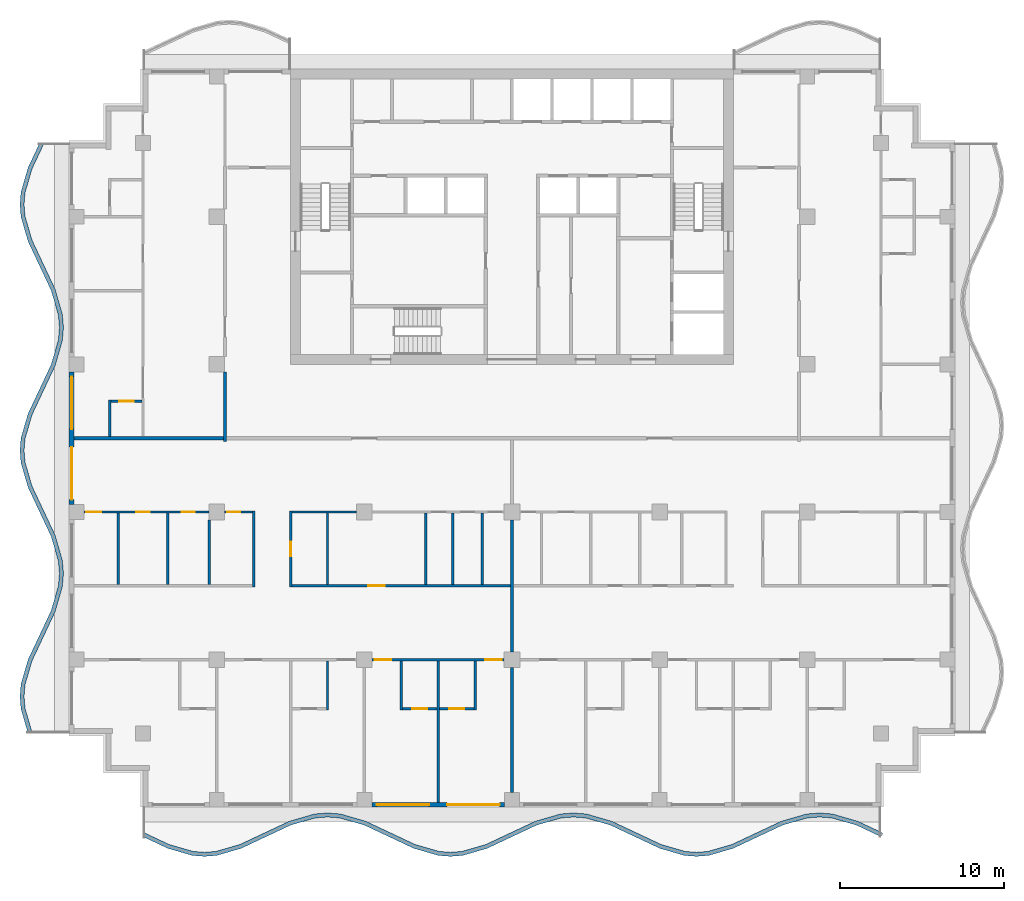
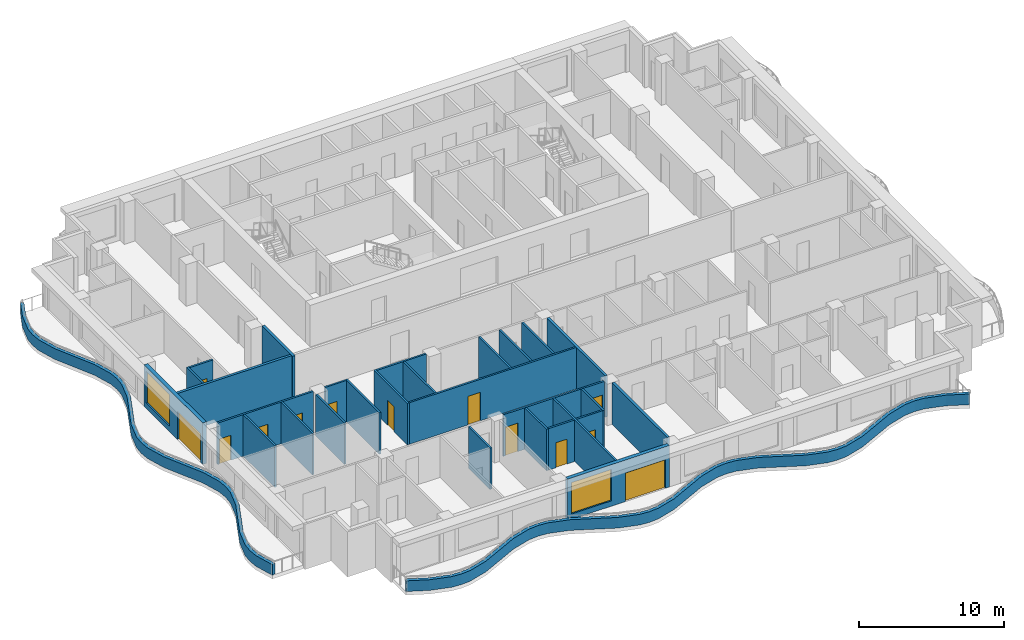
# One storey, part 2 of 11: 30 walls, 13 doors, 2 windows, 15 openings.
"""IFC4 building model written with IfcOpenShell, lengths in metres."""

from ifc_helpers import new_model, si_unit, direction, frame, frame_2d, origin, place, context, subcontext, project, spatial, polyline, rectangle, outline, extrude, material, layer, layer_set, type_object, element, fill, save


model = new_model("IFC4")

# Units and contexts
model_context = context("Model", 3, precision=1e-05, world=origin(), true_north=direction((0.0, 1.0)))
body_context = subcontext(model_context, "Body", "Model", "MODEL_VIEW")
ifc_project = project(units=[si_unit("LENGTHUNIT", "METRE"), si_unit("AREAUNIT", "SQUARE_METRE"), si_unit("VOLUMEUNIT", "CUBIC_METRE"), si_unit("PLANEANGLEUNIT", "RADIAN"), si_unit("MASSUNIT", "GRAM", prefix="KILO")], contexts=[model_context])

# Site, building, storey
site_placement = place(None, origin())
site = spatial("IfcSite", under=ifc_project, at=site_placement, CompositionType="ELEMENT")
building_placement = place(site_placement, origin())
building = spatial("IfcBuilding", under=site, at=building_placement, Name="Orbiselva Terraces", CompositionType="ELEMENT")
storey_placement = place(building_placement, frame((0.0, 0.0, 273.0)))
storey = spatial("IfcBuildingStorey", under=building, at=storey_placement, Name="L69", CompositionType="ELEMENT", Elevation=273.0)

# Walls
ifc_material_1 = material(Name="Concrete C40/50", Category="concrete")
ifc_layer_1 = layer(ifc_material_1, 0.25)
ifc_layer_set_1 = layer_set([ifc_layer_1], Name="Concrete C40/50")
wall_type_1 = type_object("IfcWallType", Name="ENV-PLANTER-250x900", PredefinedType="USERDEFINED", material=ifc_layer_set_1)
wall_1_placement = place(storey_placement, origin())
element("IfcWall", 1, at=wall_1_placement, inside=storey, type_object=wall_type_1, Name="Balcony planter L69 S", ObjectType="PLANTER", PredefinedType="USERDEFINED", context=body_context, shape_type="SweptSolid", body=[
    extrude(outline(polyline([(-22.5, -24.3), (-21.0, -25.005342), (-19.5, -25.441268), (-18.75, -25.5), (-18.0, -25.441268), (-16.5, -25.005342), (-15.0, -24.3), (-13.5, -23.594658), (-12.0, -23.158732), (-11.25, -23.1), (-10.5, -23.158732), (-9.0, -23.594658), (-7.5, -24.3), (-6.0, -25.005342), (-4.5, -25.441268), (-3.75, -25.5), (-3.0, -25.441268), (-1.5, -25.005342), (0.0, -24.3), (1.5, -23.594658), (3.0, -23.158732), (3.75, -23.1), (4.5, -23.158732), (6.0, -23.594658), (7.5, -24.3), (9.0, -25.005342), (10.5, -25.441268), (11.25, -25.5), (12.0, -25.441268), (13.5, -25.005342), (15.0, -24.3), (16.5, -23.594658), (18.0, -23.158732), (18.75, -23.1), (19.5, -23.158732), (21.0, -23.594658), (22.5, -24.3), (22.606383, -24.073764), (21.088618, -23.360069), (19.545114, -22.911499), (18.75, -22.849235), (17.954886, -22.911499), (16.411382, -23.360069), (14.893617, -24.073764), (13.411382, -24.770753), (11.954886, -25.194035), (11.25, -25.249235), (10.545114, -25.194035), (9.088618, -24.770753), (7.606383, -24.073764), (6.088618, -23.360069), (4.545114, -22.911499), (3.75, -22.849235), (2.954886, -22.911499), (1.411382, -23.360069), (-0.106383, -24.073764), (-1.588618, -24.770753), (-3.045114, -25.194035), (-3.75, -25.249235), (-4.454886, -25.194035), (-5.911382, -24.770753), (-7.393617, -24.073764), (-8.911382, -23.360069), (-10.454886, -22.911499), (-11.25, -22.849235), (-12.045114, -22.911499), (-13.588618, -23.360069), (-15.106383, -24.073764), (-16.588618, -24.770753), (-18.045114, -25.194035), (-18.75, -25.249235), (-19.454886, -25.194035), (-20.911382, -24.770753), (-22.393617, -24.073764), (-22.5, -24.3)])), origin(), (0.0, 0.0, 1.0), 0.9),
])
wall_2_placement = place(storey_placement, origin())
element("IfcWall", 2, at=wall_2_placement, inside=storey, type_object=wall_type_1, Name="Balcony planter L69 W", ObjectType="PLANTER", PredefinedType="USERDEFINED", context=body_context, shape_type="SweptSolid", body=[
    extrude(outline(polyline([(-28.8, 18.0), (-29.505342, 16.5), (-29.941268, 15.0), (-30.0, 14.25), (-29.941268, 13.5), (-29.505342, 12.0), (-28.8, 10.5), (-28.094658, 9.0), (-27.658732, 7.5), (-27.6, 6.75), (-27.658732, 6.0), (-28.094658, 4.5), (-28.8, 3.0), (-29.505342, 1.5), (-29.941268, 0.0), (-30.0, -0.75), (-29.941268, -1.5), (-29.505342, -3.0), (-28.8, -4.5), (-28.094658, -6.0), (-27.658732, -7.5), (-27.6, -8.25), (-27.658732, -9.0), (-28.094658, -10.5), (-28.8, -12.0), (-29.505342, -13.5), (-29.941268, -15.0), (-30.0, -15.75), (-29.941268, -16.5), (-29.505342, -18.0), (-29.265274, -17.930232), (-29.694035, -16.454886), (-29.749235, -15.75), (-29.694035, -15.045114), (-29.270753, -13.588618), (-28.573764, -12.106383), (-27.860069, -10.588618), (-27.411499, -9.045114), (-27.349235, -8.25), (-27.411499, -7.454886), (-27.860069, -5.911382), (-28.573764, -4.393617), (-29.270753, -2.911382), (-29.694035, -1.454886), (-29.749235, -0.75), (-29.694035, -0.045114), (-29.270753, 1.411382), (-28.573764, 2.893617), (-27.860069, 4.411382), (-27.411499, 5.954886), (-27.349235, 6.75), (-27.411499, 7.545114), (-27.860069, 9.088618), (-28.573764, 10.606383), (-29.270753, 12.088618), (-29.694035, 13.545114), (-29.749235, 14.25), (-29.694035, 14.954886), (-29.270753, 16.411382), (-28.573764, 17.893617), (-28.8, 18.0)])), origin(), (0.0, 0.0, 1.0), 0.9),
])

# Wall, openings, door, window
ifc_material_2 = material(Name="Terracotta cladding on masonry backing", Category="masonry")
ifc_layer_2 = layer(ifc_material_2, 0.3)
ifc_layer_set_2 = layer_set([ifc_layer_2], Name="Terracotta cladding on masonry backing")
wall_type_2 = type_object("IfcWallType", Name="ENV-WALL-TERRACOTTA-300", PredefinedType="SOLIDWALL", material=ifc_layer_set_2)
wall_3_placement = place(storey_placement, frame((-0.45, -22.35, 0.0), z_axis=(0.0, 0.0, 1.0), x_axis=(-1.0, 0.0, 0.0)))
wall_3 = element("IfcWall", 3, at=wall_3_placement, inside=storey, type_object=wall_type_2, Name="Facade wall L69 S", PredefinedType="SOLIDWALL", context=body_context, shape_type="SweptSolid", body=[
    extrude(rectangle(XDim=8.1, YDim=0.3, at=frame_2d((4.05, 0.0))), origin(), (0.0, 0.0, 1.0), 3.5),
])
opening_1_placement = place(wall_3_placement, frame((4.6, 0.0, 0.45)))
opening_1 = element("IfcOpeningElement", 4, at=opening_1_placement, cuts=wall_3, Name="Opening WN17", PredefinedType="OPENING", context=body_context, shape_type="SweptSolid", body=[
    extrude(rectangle(XDim=3.2, YDim=2.65, at=frame_2d((1.6, 1.325))), frame((0.0, 0.16, 0.0), z_axis=(0.0, -1.0, 0.0), x_axis=(1.0, 0.0, 0.0)), (0.0, 0.0, 1.0), 0.32),
])
opening_2_placement = place(wall_3_placement, frame((0.3, 0.0, 0.0)))
opening_2 = element("IfcOpeningElement", 5, at=opening_2_placement, cuts=wall_3, Name="Opening Z5-D-E02", PredefinedType="OPENING", context=body_context, shape_type="SweptSolid", body=[
    extrude(rectangle(XDim=3.2, YDim=2.4, at=frame_2d((1.6, 1.2))), frame((0.0, 0.16, 0.0), z_axis=(0.0, -1.0, 0.0), x_axis=(1.0, 0.0, 0.0)), (0.0, 0.0, 1.0), 0.32),
])
ifc_material_3 = material(Name="Clear low-e glazing in aluminium frame", Category="aluminium")
door_type_1 = type_object("IfcDoorType", Name="BALCONY DOOR 3200 X 2400", OperationType="DOUBLE_DOOR_SLIDING", PredefinedType="DOOR", material=ifc_material_3)
door_1_placement = place(opening_2_placement, origin())
door_1 = element("IfcDoor", 6, at=door_1_placement, inside=storey, type_object=door_type_1, Name="Z5-D-E02", OperationType="SINGLE_SWING_LEFT", OverallHeight=2.4, OverallWidth=3.2, PredefinedType="DOOR", context=body_context, shape_type="SweptSolid", body=[
    extrude(rectangle(XDim=3.2, YDim=2.4, at=frame_2d((1.6, 1.2))), frame((0.0, 0.025, 0.0), z_axis=(0.0, -1.0, 0.0), x_axis=(1.0, 0.0, 0.0)), (0.0, 0.0, 1.0), 0.05),
])
fill(opening_2, door_1)
window_type = type_object("IfcWindowType", Name="WINDOW 3200 X 2650 S450", PartitioningType="TRIPLE_PANEL_VERTICAL", PredefinedType="WINDOW", material=ifc_material_3)
window_1_placement = place(opening_1_placement, origin())
window_1 = element("IfcWindow", 7, at=window_1_placement, inside=storey, type_object=window_type, Name="Window L69 S", OverallHeight=2.65, OverallWidth=3.2, PartitioningType="SINGLE_PANEL", PredefinedType="WINDOW", context=body_context, shape_type="SweptSolid", body=[
    extrude(rectangle(XDim=3.2, YDim=2.65, at=frame_2d((1.6, 1.325))), frame((0.0, 0.03, 0.0), z_axis=(0.0, -1.0, 0.0), x_axis=(1.0, 0.0, 0.0)), (0.0, 0.0, 1.0), 0.06),
])
fill(opening_1, window_1)

wall_4_placement = place(storey_placement, frame((-26.85, -4.05, 0.0), z_axis=(0.0, 0.0, 1.0), x_axis=(0.0, 1.0, 0.0)))
wall_4 = element("IfcWall", 8, at=wall_4_placement, inside=storey, type_object=wall_type_2, Name="Facade wall L69 W", PredefinedType="SOLIDWALL", context=body_context, shape_type="SweptSolid", body=[
    extrude(rectangle(XDim=8.1, YDim=0.3, at=frame_2d((4.05, 0.0))), origin(), (0.0, 0.0, 1.0), 3.5),
])
opening_3_placement = place(wall_4_placement, frame((4.6, 0.0, 0.45)))
opening_3 = element("IfcOpeningElement", 9, at=opening_3_placement, cuts=wall_4, Name="Opening WN17", PredefinedType="OPENING", context=body_context, shape_type="SweptSolid", body=[
    extrude(rectangle(XDim=3.2, YDim=2.65, at=frame_2d((1.6, 1.325))), frame((0.0, 0.16, 0.0), z_axis=(0.0, -1.0, 0.0), x_axis=(1.0, 0.0, 0.0)), (0.0, 0.0, 1.0), 0.32),
])
opening_4_placement = place(wall_4_placement, frame((0.3, 0.0, 0.0)))
opening_4 = element("IfcOpeningElement", 10, at=opening_4_placement, cuts=wall_4, Name="Opening Z5-D-E10", PredefinedType="OPENING", context=body_context, shape_type="SweptSolid", body=[
    extrude(rectangle(XDim=3.2, YDim=2.4, at=frame_2d((1.6, 1.2))), frame((0.0, 0.16, 0.0), z_axis=(0.0, -1.0, 0.0), x_axis=(1.0, 0.0, 0.0)), (0.0, 0.0, 1.0), 0.32),
])
door_2_placement = place(opening_4_placement, origin())
door_2 = element("IfcDoor", 11, at=door_2_placement, inside=storey, type_object=door_type_1, Name="Z5-D-E10", OperationType="SINGLE_SWING_LEFT", OverallHeight=2.4, OverallWidth=3.2, PredefinedType="DOOR", context=body_context, shape_type="SweptSolid", body=[
    extrude(rectangle(XDim=3.2, YDim=2.4, at=frame_2d((1.6, 1.2))), frame((0.0, 0.025, 0.0), z_axis=(0.0, -1.0, 0.0), x_axis=(1.0, 0.0, 0.0)), (0.0, 0.0, 1.0), 0.05),
])
fill(opening_4, door_2)
window_2_placement = place(opening_3_placement, origin())
window_2 = element("IfcWindow", 12, at=window_2_placement, inside=storey, type_object=window_type, Name="Window L69 W", OverallHeight=2.65, OverallWidth=3.2, PartitioningType="SINGLE_PANEL", PredefinedType="WINDOW", context=body_context, shape_type="SweptSolid", body=[
    extrude(rectangle(XDim=3.2, YDim=2.65, at=frame_2d((1.6, 1.325))), frame((0.0, 0.03, 0.0), z_axis=(0.0, -1.0, 0.0), x_axis=(1.0, 0.0, 0.0)), (0.0, 0.0, 1.0), 0.06),
])
fill(opening_3, window_2)

# Wall
ifc_material_4 = material(Name="Plasterboard on steel stud partition", Category="steel")
ifc_layer_3 = layer(ifc_material_4, 0.2)
ifc_layer_set_3 = layer_set([ifc_layer_3], Name="Plasterboard on steel stud partition")
wall_type_3 = type_object("IfcWallType", Name="UNIT-ENTRANCE-WALL-200", PredefinedType="PARTITIONING", material=ifc_layer_set_3)
wall_5_placement = place(storey_placement, frame((-17.5, -0.2, 0.0), z_axis=(0.0, 0.0, 1.0), x_axis=(0.0, 1.0, 0.0)))
element("IfcWall", 13, at=wall_5_placement, inside=storey, type_object=wall_type_3, Name="PARTITION L69-050", PredefinedType="PARTITIONING", context=body_context, shape_type="SweptSolid", body=[
    extrude(rectangle(XDim=4.225, YDim=0.2, at=frame_2d((2.1125, 0.0))), origin(), (0.0, 0.0, 1.0), 3.5),
])

# Wall, opening, door
ifc_layer_4 = layer(ifc_material_4, 0.15)
ifc_layer_set_4 = layer_set([ifc_layer_4], Name="Plasterboard on steel stud partition")
wall_type_4 = type_object("IfcWallType", Name="UNIT-PARTITION-150", PredefinedType="PARTITIONING", material=ifc_layer_set_4)
wall_6_placement = place(storey_placement, frame((-6.675, -16.5, 0.0), z_axis=(0.0, 0.0, 1.0), x_axis=(1.0, 0.0, 0.0)))
wall_6 = element("IfcWall", 14, at=wall_6_placement, inside=storey, type_object=wall_type_4, Name="PARTITION L69-003", PredefinedType="PARTITIONING", context=body_context, shape_type="SweptSolid", body=[
    extrude(rectangle(XDim=2.1, YDim=0.15, at=frame_2d((1.05, 0.0))), origin(), (0.0, 0.0, 1.0), 3.5),
])
opening_5_placement = place(wall_6_placement, frame((0.6, 0.0, 0.0)))
opening_5 = element("IfcOpeningElement", 15, at=opening_5_placement, cuts=wall_6, Name="Opening Z5-D-28", PredefinedType="OPENING", context=body_context, shape_type="SweptSolid", body=[
    extrude(rectangle(XDim=0.9, YDim=2.1, at=frame_2d((0.45, 1.05))), frame((0.0, 0.085, 0.0), z_axis=(0.0, -1.0, 0.0), x_axis=(1.0, 0.0, 0.0)), (0.0, 0.0, 1.0), 0.17),
])
ifc_material_5 = material(Name="Painted timber door leaf", Category="wood")
door_type_2 = type_object("IfcDoorType", Name="BATH DOOR 900", OperationType="NOTDEFINED", PredefinedType="DOOR", material=ifc_material_5)
door_3_placement = place(opening_5_placement, origin())
door_3 = element("IfcDoor", 16, at=door_3_placement, inside=storey, type_object=door_type_2, Name="Z5-D-28", OperationType="SINGLE_SWING_LEFT", OverallHeight=2.1, OverallWidth=0.9, PredefinedType="DOOR", context=body_context, shape_type="SweptSolid", body=[
    extrude(rectangle(XDim=0.9, YDim=2.1, at=frame_2d((0.45, 1.05))), frame((0.0, 0.025, 0.0), z_axis=(0.0, -1.0, 0.0), x_axis=(1.0, 0.0, 0.0)), (0.0, 0.0, 1.0), 0.05),
])
fill(opening_5, door_3)

wall_7_placement = place(storey_placement, frame((-4.425, -16.5, 0.0), z_axis=(0.0, 0.0, 1.0), x_axis=(1.0, 0.0, 0.0)))
wall_7 = element("IfcWall", 17, at=wall_7_placement, inside=storey, type_object=wall_type_4, Name="PARTITION L69-004", PredefinedType="PARTITIONING", context=body_context, shape_type="SweptSolid", body=[
    extrude(rectangle(XDim=2.1, YDim=0.15, at=frame_2d((1.05, 0.0))), origin(), (0.0, 0.0, 1.0), 3.5),
])
opening_6_placement = place(wall_7_placement, frame((0.6, 0.0, 0.0)))
opening_6 = element("IfcOpeningElement", 18, at=opening_6_placement, cuts=wall_7, Name="Opening Z5-D-26", PredefinedType="OPENING", context=body_context, shape_type="SweptSolid", body=[
    extrude(rectangle(XDim=0.9, YDim=2.1, at=frame_2d((0.45, 1.05))), frame((0.0, 0.085, 0.0), z_axis=(0.0, -1.0, 0.0), x_axis=(1.0, 0.0, 0.0)), (0.0, 0.0, 1.0), 0.17),
])
door_4_placement = place(opening_6_placement, origin())
door_4 = element("IfcDoor", 19, at=door_4_placement, inside=storey, type_object=door_type_2, Name="Z5-D-26", OperationType="SINGLE_SWING_RIGHT", OverallHeight=2.1, OverallWidth=0.9, PredefinedType="DOOR", context=body_context, shape_type="SweptSolid", body=[
    extrude(rectangle(XDim=0.9, YDim=2.1, at=frame_2d((0.45, 1.05))), frame((0.0, 0.025, 0.0), z_axis=(0.0, -1.0, 0.0), x_axis=(1.0, 0.0, 0.0)), (0.0, 0.0, 1.0), 0.05),
])
fill(opening_6, door_4)

# Wall, openings, doors
wall_8_placement = place(storey_placement, frame((-0.475, -13.5, 0.0), z_axis=(0.0, 0.0, 1.0), x_axis=(-1.0, 0.0, 0.0)))
wall_8 = element("IfcWall", 20, at=wall_8_placement, inside=storey, type_object=wall_type_4, Name="PARTITION L69-011", PredefinedType="PARTITIONING", context=body_context, shape_type="SweptSolid", body=[
    extrude(rectangle(XDim=8.05, YDim=0.15, at=frame_2d((4.025, 0.0))), origin(), (0.0, 0.0, 1.0), 3.5),
])
opening_7_placement = place(wall_8_placement, frame((0.15, 0.0, 0.0)))
opening_7 = element("IfcOpeningElement", 21, at=opening_7_placement, cuts=wall_8, Name="Opening Z5-D-25", PredefinedType="OPENING", context=body_context, shape_type="SweptSolid", body=[
    extrude(rectangle(XDim=1.0, YDim=2.4, at=frame_2d((0.5, 1.2))), frame((0.0, 0.085, 0.0), z_axis=(0.0, -1.0, 0.0), x_axis=(1.0, 0.0, 0.0)), (0.0, 0.0, 1.0), 0.17),
])
opening_8_placement = place(wall_8_placement, frame((6.9, 0.0, 0.0)))
opening_8 = element("IfcOpeningElement", 22, at=opening_8_placement, cuts=wall_8, Name="Opening Z5-D-27", PredefinedType="OPENING", context=body_context, shape_type="SweptSolid", body=[
    extrude(rectangle(XDim=1.0, YDim=2.4, at=frame_2d((0.5, 1.2))), frame((0.0, 0.085, 0.0), z_axis=(0.0, -1.0, 0.0), x_axis=(1.0, 0.0, 0.0)), (0.0, 0.0, 1.0), 0.17),
])
door_type_3 = type_object("IfcDoorType", Name="ROOM DOOR 1000", OperationType="NOTDEFINED", PredefinedType="DOOR", material=ifc_material_5)
door_5_placement = place(opening_7_placement, origin())
door_5 = element("IfcDoor", 23, at=door_5_placement, inside=storey, type_object=door_type_3, Name="Z5-D-25", OperationType="SINGLE_SWING_LEFT", OverallHeight=2.4, OverallWidth=1.0, PredefinedType="DOOR", context=body_context, shape_type="SweptSolid", body=[
    extrude(rectangle(XDim=1.0, YDim=2.4, at=frame_2d((0.5, 1.2))), frame((0.0, 0.025, 0.0), z_axis=(0.0, -1.0, 0.0), x_axis=(1.0, 0.0, 0.0)), (0.0, 0.0, 1.0), 0.05),
])
fill(opening_7, door_5)
door_6_placement = place(opening_8_placement, origin())
door_6 = element("IfcDoor", 24, at=door_6_placement, inside=storey, type_object=door_type_3, Name="Z5-D-27", OperationType="SINGLE_SWING_RIGHT", OverallHeight=2.4, OverallWidth=1.0, PredefinedType="DOOR", context=body_context, shape_type="SweptSolid", body=[
    extrude(rectangle(XDim=1.0, YDim=2.4, at=frame_2d((0.5, 1.2))), frame((0.0, 0.025, 0.0), z_axis=(0.0, -1.0, 0.0), x_axis=(1.0, 0.0, 0.0)), (0.0, 0.0, 1.0), 0.05),
])
fill(opening_8, door_6)

# Wall, opening, door
wall_9_placement = place(storey_placement, frame((-13.425, -9.0, 0.0), z_axis=(0.0, 0.0, 1.0), x_axis=(1.0, 0.0, 0.0)))
wall_9 = element("IfcWall", 25, at=wall_9_placement, inside=storey, type_object=wall_type_4, Name="PARTITION L69-016", PredefinedType="PARTITIONING", context=body_context, shape_type="SweptSolid", body=[
    extrude(rectangle(XDim=13.325, YDim=0.15, at=frame_2d((6.6625, 0.0))), origin(), (0.0, 0.0, 1.0), 3.5),
])
opening_9_placement = place(wall_9_placement, frame((4.675, 0.0, 0.0)))
opening_9 = element("IfcOpeningElement", 26, at=opening_9_placement, cuts=wall_9, Name="Opening Z5-D-19", PredefinedType="OPENING", context=body_context, shape_type="SweptSolid", body=[
    extrude(rectangle(XDim=1.0, YDim=2.4, at=frame_2d((0.5, 1.2))), frame((0.0, 0.085, 0.0), z_axis=(0.0, -1.0, 0.0), x_axis=(1.0, 0.0, 0.0)), (0.0, 0.0, 1.0), 0.17),
])
door_7_placement = place(opening_9_placement, origin())
door_7 = element("IfcDoor", 27, at=door_7_placement, inside=storey, type_object=door_type_3, Name="Z5-D-19", OperationType="SINGLE_SWING_LEFT", OverallHeight=2.4, OverallWidth=1.0, PredefinedType="DOOR", context=body_context, shape_type="SweptSolid", body=[
    extrude(rectangle(XDim=1.0, YDim=2.4, at=frame_2d((0.5, 1.2))), frame((0.0, 0.025, 0.0), z_axis=(0.0, -1.0, 0.0), x_axis=(1.0, 0.0, 0.0)), (0.0, 0.0, 1.0), 0.05),
])
fill(opening_9, door_7)

# Wall, openings, doors
wall_10_placement = place(storey_placement, frame((-18.475, -4.5, 0.0), z_axis=(0.0, 0.0, 1.0), x_axis=(-1.0, 0.0, 0.0)))
wall_10 = element("IfcWall", 28, at=wall_10_placement, inside=storey, type_object=wall_type_4, Name="PARTITION L69-019", PredefinedType="PARTITIONING", context=body_context, shape_type="SweptSolid", body=[
    extrude(rectangle(XDim=7.625, YDim=0.15, at=frame_2d((3.8125, 0.0))), origin(), (0.0, 0.0, 1.0), 3.5),
])
opening_10_placement = place(wall_10_placement, frame((0.875, 0.0, 0.0)))
opening_10 = element("IfcOpeningElement", 29, at=opening_10_placement, cuts=wall_10, Name="Opening Z5-D-22", PredefinedType="OPENING", context=body_context, shape_type="SweptSolid", body=[
    extrude(rectangle(XDim=0.8, YDim=2.0, at=frame_2d((0.4, 1.0))), frame((0.0, 0.085, 0.0), z_axis=(0.0, -1.0, 0.0), x_axis=(1.0, 0.0, 0.0)), (0.0, 0.0, 1.0), 0.17),
])
opening_11_placement = place(wall_10_placement, frame((3.625, 0.0, 0.0)))
opening_11 = element("IfcOpeningElement", 30, at=opening_11_placement, cuts=wall_10, Name="Opening Z5-D-23", PredefinedType="OPENING", context=body_context, shape_type="SweptSolid", body=[
    extrude(rectangle(XDim=0.8, YDim=2.0, at=frame_2d((0.4, 1.0))), frame((0.0, 0.085, 0.0), z_axis=(0.0, -1.0, 0.0), x_axis=(1.0, 0.0, 0.0)), (0.0, 0.0, 1.0), 0.17),
])
opening_12_placement = place(wall_10_placement, frame((6.575, 0.0, 0.0)))
opening_12 = element("IfcOpeningElement", 31, at=opening_12_placement, cuts=wall_10, Name="Opening Z5-D-24", PredefinedType="OPENING", context=body_context, shape_type="SweptSolid", body=[
    extrude(rectangle(XDim=0.9, YDim=2.1, at=frame_2d((0.45, 1.05))), frame((0.0, 0.085, 0.0), z_axis=(0.0, -1.0, 0.0), x_axis=(1.0, 0.0, 0.0)), (0.0, 0.0, 1.0), 0.17),
])
door_type_4 = type_object("IfcDoorType", Name="SERVICE DOOR 900", OperationType="NOTDEFINED", PredefinedType="DOOR", material=ifc_material_5)
door_8_placement = place(opening_12_placement, origin())
door_8 = element("IfcDoor", 32, at=door_8_placement, inside=storey, type_object=door_type_4, Name="Z5-D-24", OperationType="SINGLE_SWING_RIGHT", OverallHeight=2.1, OverallWidth=0.9, PredefinedType="DOOR", context=body_context, shape_type="SweptSolid", body=[
    extrude(rectangle(XDim=0.9, YDim=2.1, at=frame_2d((0.45, 1.05))), frame((0.0, 0.025, 0.0), z_axis=(0.0, -1.0, 0.0), x_axis=(1.0, 0.0, 0.0)), (0.0, 0.0, 1.0), 0.05),
])
fill(opening_12, door_8)
door_type_5 = type_object("IfcDoorType", Name="STORE DOOR 800", OperationType="NOTDEFINED", PredefinedType="DOOR", material=ifc_material_5)
door_9_placement = place(opening_10_placement, origin())
door_9 = element("IfcDoor", 33, at=door_9_placement, inside=storey, type_object=door_type_5, Name="Z5-D-22", OperationType="SINGLE_SWING_LEFT", OverallHeight=2.0, OverallWidth=0.8, PredefinedType="DOOR", context=body_context, shape_type="SweptSolid", body=[
    extrude(rectangle(XDim=0.8, YDim=2.0, at=frame_2d((0.4, 1.0))), frame((0.0, 0.025, 0.0), z_axis=(0.0, -1.0, 0.0), x_axis=(1.0, 0.0, 0.0)), (0.0, 0.0, 1.0), 0.05),
])
fill(opening_10, door_9)
door_10_placement = place(opening_11_placement, origin())
door_10 = element("IfcDoor", 34, at=door_10_placement, inside=storey, type_object=door_type_5, Name="Z5-D-23", OperationType="SINGLE_SWING_RIGHT", OverallHeight=2.0, OverallWidth=0.8, PredefinedType="DOOR", context=body_context, shape_type="SweptSolid", body=[
    extrude(rectangle(XDim=0.8, YDim=2.0, at=frame_2d((0.4, 1.0))), frame((0.0, 0.025, 0.0), z_axis=(0.0, -1.0, 0.0), x_axis=(1.0, 0.0, 0.0)), (0.0, 0.0, 1.0), 0.05),
])
fill(opening_11, door_10)

# Wall, opening, door
wall_11_placement = place(storey_placement, frame((-15.825, -4.5, 0.0), z_axis=(0.0, 0.0, 1.0), x_axis=(-1.0, 0.0, 0.0)))
wall_11 = element("IfcWall", 35, at=wall_11_placement, inside=storey, type_object=wall_type_4, Name="PARTITION L69-020", PredefinedType="PARTITIONING", context=body_context, shape_type="SweptSolid", body=[
    extrude(rectangle(XDim=1.7, YDim=0.15, at=frame_2d((0.85, 0.0))), origin(), (0.0, 0.0, 1.0), 3.5),
])
opening_13_placement = place(wall_11_placement, frame((0.75, 0.0, 0.0)))
opening_13 = element("IfcOpeningElement", 36, at=opening_13_placement, cuts=wall_11, Name="Opening Z5-D-21", PredefinedType="OPENING", context=body_context, shape_type="SweptSolid", body=[
    extrude(rectangle(XDim=0.8, YDim=2.0, at=frame_2d((0.4, 1.0))), frame((0.0, 0.085, 0.0), z_axis=(0.0, -1.0, 0.0), x_axis=(1.0, 0.0, 0.0)), (0.0, 0.0, 1.0), 0.17),
])
door_11_placement = place(opening_13_placement, origin())
door_11 = element("IfcDoor", 37, at=door_11_placement, inside=storey, type_object=door_type_5, Name="Z5-D-21", OperationType="SINGLE_SWING_RIGHT", OverallHeight=2.0, OverallWidth=0.8, PredefinedType="DOOR", context=body_context, shape_type="SweptSolid", body=[
    extrude(rectangle(XDim=0.8, YDim=2.0, at=frame_2d((0.4, 1.0))), frame((0.0, 0.025, 0.0), z_axis=(0.0, -1.0, 0.0), x_axis=(1.0, 0.0, 0.0)), (0.0, 0.0, 1.0), 0.05),
])
fill(opening_13, door_11)

# Wall
wall_12_placement = place(storey_placement, frame((-13.425, -4.5, 0.0), z_axis=(0.0, 0.0, 1.0), x_axis=(1.0, 0.0, 0.0)))
element("IfcWall", 38, at=wall_12_placement, inside=storey, type_object=wall_type_4, Name="PARTITION L69-021", PredefinedType="PARTITIONING", context=body_context, shape_type="SweptSolid", body=[
    extrude(rectangle(XDim=3.95, YDim=0.15, at=frame_2d((1.975, 0.0))), origin(), (0.0, 0.0, 1.0), 3.5),
])

# Wall, opening, door
wall_13_placement = place(storey_placement, frame((-22.575, 2.25, 0.0), z_axis=(0.0, 0.0, 1.0), x_axis=(-1.0, 0.0, 0.0)))
wall_13 = element("IfcWall", 39, at=wall_13_placement, inside=storey, type_object=wall_type_4, Name="PARTITION L69-030", PredefinedType="PARTITIONING", context=body_context, shape_type="SweptSolid", body=[
    extrude(rectangle(XDim=1.875, YDim=0.15, at=frame_2d((0.9375, 0.0))), origin(), (0.0, 0.0, 1.0), 3.5),
])
opening_14_placement = place(wall_13_placement, frame((0.475, 0.0, 0.0)))
opening_14 = element("IfcOpeningElement", 40, at=opening_14_placement, cuts=wall_13, Name="Opening Z5-D-05", PredefinedType="OPENING", context=body_context, shape_type="SweptSolid", body=[
    extrude(rectangle(XDim=0.9, YDim=2.1, at=frame_2d((0.45, 1.05))), frame((0.0, 0.085, 0.0), z_axis=(0.0, -1.0, 0.0), x_axis=(1.0, 0.0, 0.0)), (0.0, 0.0, 1.0), 0.17),
])
door_12_placement = place(opening_14_placement, origin())
door_12 = element("IfcDoor", 41, at=door_12_placement, inside=storey, type_object=door_type_2, Name="Z5-D-05", OperationType="SINGLE_SWING_LEFT", OverallHeight=2.1, OverallWidth=0.9, PredefinedType="DOOR", context=body_context, shape_type="SweptSolid", body=[
    extrude(rectangle(XDim=0.9, YDim=2.1, at=frame_2d((0.45, 1.05))), frame((0.0, 0.025, 0.0), z_axis=(0.0, -1.0, 0.0), x_axis=(1.0, 0.0, 0.0)), (0.0, 0.0, 1.0), 0.05),
])
fill(opening_14, door_12)

# Walls
wall_14_placement = place(storey_placement, frame((-24.525, 0.1, 0.0), z_axis=(0.0, 0.0, 1.0), x_axis=(0.0, 1.0, 0.0)))
element("IfcWall", 42, at=wall_14_placement, inside=storey, type_object=wall_type_4, Name="PARTITION L69-041", PredefinedType="PARTITIONING", context=body_context, shape_type="SweptSolid", body=[
    extrude(rectangle(XDim=2.225, YDim=0.15, at=frame_2d((1.1125, 0.0))), origin(), (0.0, 0.0, 1.0), 3.5),
])
for number, where, z_axis, x_axis, name in (
    (43, (-24.0, -8.925, 0.0), (0.0, 0.0, 1.0), (0.0, 1.0, 0.0), "PARTITION L69-043"),
    (44, (-21.0, -8.925, 0.0), (0.0, 0.0, 1.0), (0.0, 1.0, 0.0), "PARTITION L69-046"),
):
    element("IfcWall", number, at=place(storey_placement, frame(where, z_axis=z_axis, x_axis=x_axis)), inside=storey, type_object=wall_type_4, Name=name, PredefinedType="PARTITIONING", context=body_context, shape_type="SweptSolid", body=[
        extrude(rectangle(XDim=4.35, YDim=0.15, at=frame_2d((2.175, 0.0))), origin(), (0.0, 0.0, 1.0), 3.5),
    ])
wall_15_placement = place(storey_placement, frame((-18.45, -8.925, 0.0), z_axis=(0.0, 0.0, 1.0), x_axis=(0.0, 1.0, 0.0)))
element("IfcWall", 45, at=wall_15_placement, inside=storey, type_object=wall_type_4, Name="PARTITION L69-048", PredefinedType="PARTITIONING", context=body_context, shape_type="SweptSolid", body=[
    extrude(rectangle(XDim=3.95, YDim=0.15, at=frame_2d((1.975, 0.0))), origin(), (0.0, 0.0, 1.0), 3.5),
])
wall_16_placement = place(storey_placement, frame((-15.75, -9.075, 0.0), z_axis=(0.0, 0.0, 1.0), x_axis=(0.0, 1.0, 0.0)))
element("IfcWall", 46, at=wall_16_placement, inside=storey, type_object=wall_type_4, Name="PARTITION L69-054", PredefinedType="PARTITIONING", context=body_context, shape_type="SweptSolid", body=[
    extrude(rectangle(XDim=4.65, YDim=0.15, at=frame_2d((2.325, 0.0))), origin(), (0.0, 0.0, 1.0), 3.5),
])

# Wall, opening, door
wall_17_placement = place(storey_placement, frame((-13.5, -4.425, 0.0), z_axis=(0.0, 0.0, 1.0), x_axis=(0.0, -1.0, 0.0)))
wall_17 = element("IfcWall", 47, at=wall_17_placement, inside=storey, type_object=wall_type_4, Name="PARTITION L69-056", PredefinedType="PARTITIONING", context=body_context, shape_type="SweptSolid", body=[
    extrude(rectangle(XDim=4.65, YDim=0.15, at=frame_2d((2.325, 0.0))), origin(), (0.0, 0.0, 1.0), 3.5),
])
opening_15_placement = place(wall_17_placement, frame((1.875, 0.0, 0.0)))
opening_15 = element("IfcOpeningElement", 48, at=opening_15_placement, cuts=wall_17, Name="Opening Z5-D-20", PredefinedType="OPENING", context=body_context, shape_type="SweptSolid", body=[
    extrude(rectangle(XDim=0.9, YDim=2.1, at=frame_2d((0.45, 1.05))), frame((0.0, 0.085, 0.0), z_axis=(0.0, -1.0, 0.0), x_axis=(1.0, 0.0, 0.0)), (0.0, 0.0, 1.0), 0.17),
])
door_13_placement = place(opening_15_placement, origin())
door_13 = element("IfcDoor", 49, at=door_13_placement, inside=storey, type_object=door_type_2, Name="Z5-D-20", OperationType="SINGLE_SWING_RIGHT", OverallHeight=2.1, OverallWidth=0.9, PredefinedType="DOOR", context=body_context, shape_type="SweptSolid", body=[
    extrude(rectangle(XDim=0.9, YDim=2.1, at=frame_2d((0.45, 1.05))), frame((0.0, 0.025, 0.0), z_axis=(0.0, -1.0, 0.0), x_axis=(1.0, 0.0, 0.0)), (0.0, 0.0, 1.0), 0.05),
])
fill(opening_15, door_13)

# Walls
wall_18_placement = place(storey_placement, frame((-11.25, -16.575, 0.0), z_axis=(0.0, 0.0, 1.0), x_axis=(0.0, 1.0, 0.0)))
element("IfcWall", 50, at=wall_18_placement, inside=storey, type_object=wall_type_4, Name="PARTITION L69-057", PredefinedType="PARTITIONING", context=body_context, shape_type="SweptSolid", body=[
    extrude(rectangle(XDim=3.0, YDim=0.15, at=frame_2d((1.5, 0.0))), origin(), (0.0, 0.0, 1.0), 3.5),
])
wall_19_placement = place(storey_placement, frame((-11.25, -8.925, 0.0), z_axis=(0.0, 0.0, 1.0), x_axis=(0.0, 1.0, 0.0)))
element("IfcWall", 51, at=wall_19_placement, inside=storey, type_object=wall_type_4, Name="PARTITION L69-058", PredefinedType="PARTITIONING", context=body_context, shape_type="SweptSolid", body=[
    extrude(rectangle(XDim=4.35, YDim=0.15, at=frame_2d((2.175, 0.0))), origin(), (0.0, 0.0, 1.0), 3.5),
])
wall_20_placement = place(storey_placement, frame((-6.75, -16.575, 0.0), z_axis=(0.0, 0.0, 1.0), x_axis=(0.0, 1.0, 0.0)))
element("IfcWall", 52, at=wall_20_placement, inside=storey, type_object=wall_type_4, Name="PARTITION L69-060", PredefinedType="PARTITIONING", context=body_context, shape_type="SweptSolid", body=[
    extrude(rectangle(XDim=3.0, YDim=0.15, at=frame_2d((1.5, 0.0))), origin(), (0.0, 0.0, 1.0), 3.5),
])
wall_21_placement = place(storey_placement, frame((-5.25, -8.925, 0.0), z_axis=(0.0, 0.0, 1.0), x_axis=(0.0, 1.0, 0.0)))
element("IfcWall", 53, at=wall_21_placement, inside=storey, type_object=wall_type_4, Name="PARTITION L69-061", PredefinedType="PARTITIONING", context=body_context, shape_type="SweptSolid", body=[
    extrude(rectangle(XDim=4.35, YDim=0.15, at=frame_2d((2.175, 0.0))), origin(), (0.0, 0.0, 1.0), 3.5),
])
wall_22_placement = place(storey_placement, frame((-4.5, -22.2, 0.0), z_axis=(0.0, 0.0, 1.0), x_axis=(0.0, 1.0, 0.0)))
element("IfcWall", 54, at=wall_22_placement, inside=storey, type_object=wall_type_4, Name="PARTITION L69-062", PredefinedType="PARTITIONING", context=body_context, shape_type="SweptSolid", body=[
    extrude(rectangle(XDim=8.625, YDim=0.15, at=frame_2d((4.3125, 0.0))), origin(), (0.0, 0.0, 1.0), 3.5),
])
wall_23_placement = place(storey_placement, frame((-3.6, -8.925, 0.0), z_axis=(0.0, 0.0, 1.0), x_axis=(0.0, 1.0, 0.0)))
element("IfcWall", 55, at=wall_23_placement, inside=storey, type_object=wall_type_4, Name="PARTITION L69-063", PredefinedType="PARTITIONING", context=body_context, shape_type="SweptSolid", body=[
    extrude(rectangle(XDim=4.35, YDim=0.15, at=frame_2d((2.175, 0.0))), origin(), (0.0, 0.0, 1.0), 3.5),
])
wall_24_placement = place(storey_placement, frame((-2.25, -16.575, 0.0), z_axis=(0.0, 0.0, 1.0), x_axis=(0.0, 1.0, 0.0)))
element("IfcWall", 56, at=wall_24_placement, inside=storey, type_object=wall_type_4, Name="PARTITION L69-064", PredefinedType="PARTITIONING", context=body_context, shape_type="SweptSolid", body=[
    extrude(rectangle(XDim=3.0, YDim=0.15, at=frame_2d((1.5, 0.0))), origin(), (0.0, 0.0, 1.0), 3.5),
])
wall_25_placement = place(storey_placement, frame((-1.8, -8.925, 0.0), z_axis=(0.0, 0.0, 1.0), x_axis=(0.0, 1.0, 0.0)))
element("IfcWall", 57, at=wall_25_placement, inside=storey, type_object=wall_type_4, Name="PARTITION L69-065", PredefinedType="PARTITIONING", context=body_context, shape_type="SweptSolid", body=[
    extrude(rectangle(XDim=4.35, YDim=0.15, at=frame_2d((2.175, 0.0))), origin(), (0.0, 0.0, 1.0), 3.5),
])
ifc_layer_5 = layer(ifc_material_4, 0.2)
ifc_layer_set_5 = layer_set([ifc_layer_5], Name="Plasterboard on steel stud partition")
wall_type_5 = type_object("IfcWallType", Name="UNIT-PARTY-WALL-200", PredefinedType="PARTITIONING", material=ifc_layer_set_5)
wall_26_placement = place(storey_placement, frame((-26.7, 0.0, 0.0), z_axis=(0.0, 0.0, 1.0), x_axis=(1.0, 0.0, 0.0)))
element("IfcWall", 58, at=wall_26_placement, inside=storey, type_object=wall_type_5, Name="PARTITION L69-028", PredefinedType="PARTITIONING", context=body_context, shape_type="SweptSolid", body=[
    extrude(rectangle(XDim=9.1, YDim=0.2, at=frame_2d((4.55, 0.0))), origin(), (0.0, 0.0, 1.0), 3.5),
])
wall_27_placement = place(storey_placement, frame((0.0, -21.6, 0.0), z_axis=(0.0, 0.0, 1.0), x_axis=(0.0, 1.0, 0.0)))
element("IfcWall", 59, at=wall_27_placement, inside=storey, type_object=wall_type_5, Name="PARTITION L69-066", PredefinedType="PARTITIONING", context=body_context, shape_type="SweptSolid", body=[
    extrude(rectangle(XDim=7.625, YDim=0.2, at=frame_2d((3.8125, 0.0))), origin(), (0.0, 0.0, 1.0), 3.5),
])
wall_28_placement = place(storey_placement, frame((0.0, -13.025, 0.0), z_axis=(0.0, 0.0, 1.0), x_axis=(0.0, 1.0, 0.0)))
element("IfcWall", 60, at=wall_28_placement, inside=storey, type_object=wall_type_5, Name="PARTITION L69-067", PredefinedType="PARTITIONING", context=body_context, shape_type="SweptSolid", body=[
    extrude(rectangle(XDim=8.05, YDim=0.2, at=frame_2d((4.025, 0.0))), origin(), (0.0, 0.0, 1.0), 3.5),
])

save(model, "model.ifc")
